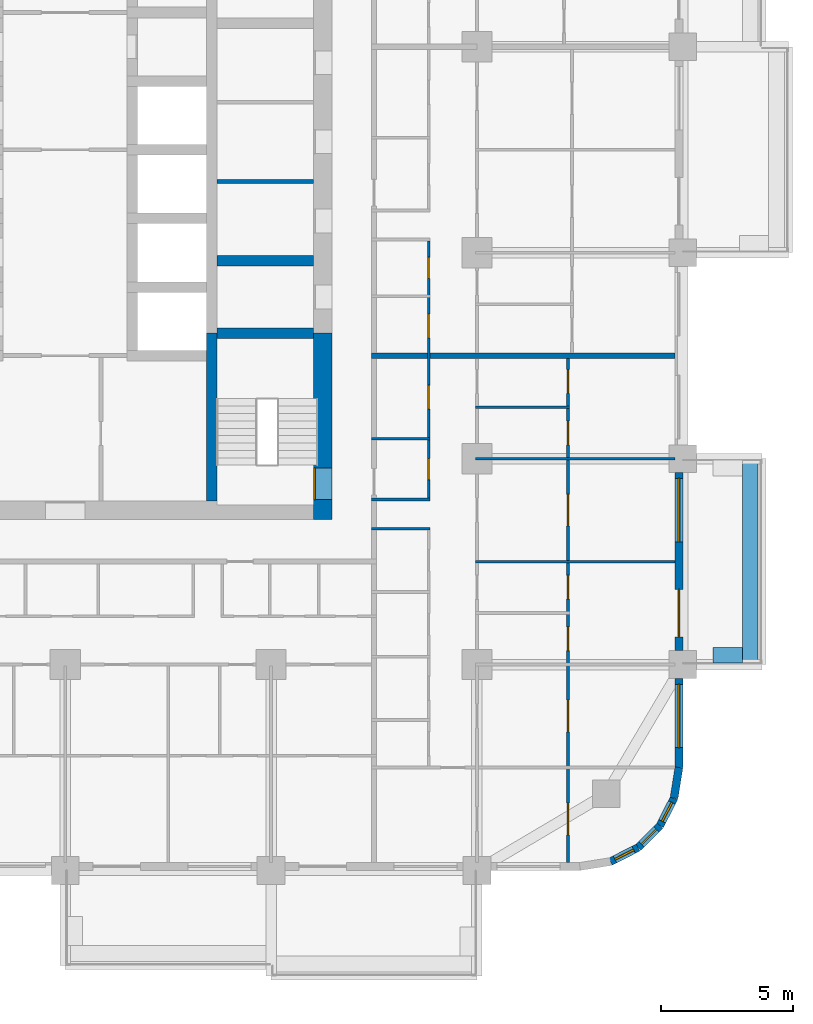
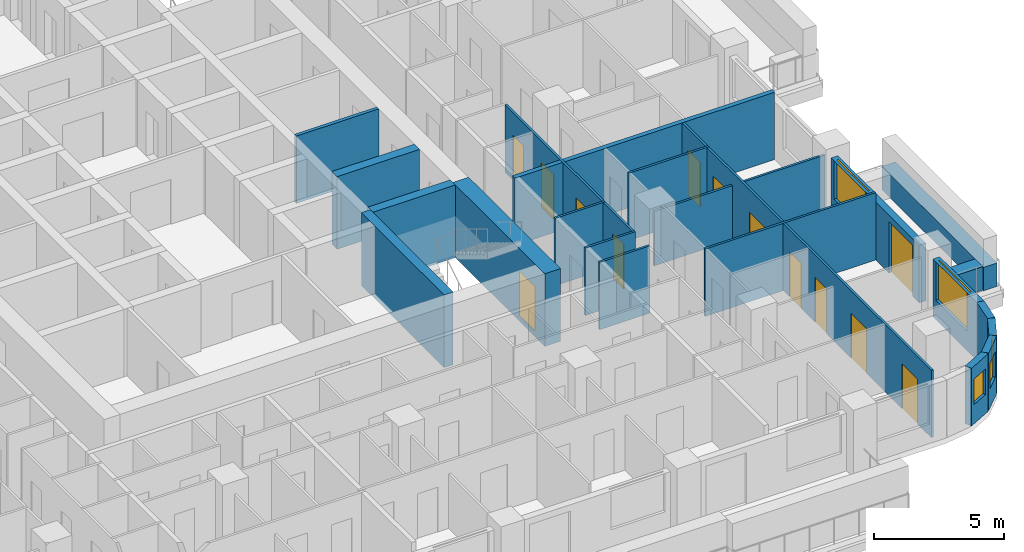
# One storey, part 8 of 18: 22 walls, 13 doors, 5 windows, 18 openings.
"""IFC4 building model written with IfcOpenShell, lengths in metres."""

from ifc_helpers import new_model, si_unit, direction, frame, frame_2d, origin, place, context, subcontext, project, spatial, rectangle, extrude, material, layer, layer_set, type_object, element, fill, save


model = new_model("IFC4")

# Units and contexts
model_context = context("Model", 3, precision=1e-05, world=origin(), true_north=direction((0.0, 1.0)))
body_context = subcontext(model_context, "Body", "Model", "MODEL_VIEW")
ifc_project = project(units=[si_unit("LENGTHUNIT", "METRE"), si_unit("AREAUNIT", "SQUARE_METRE"), si_unit("VOLUMEUNIT", "CUBIC_METRE"), si_unit("PLANEANGLEUNIT", "RADIAN"), si_unit("MASSUNIT", "GRAM", prefix="KILO")], contexts=[model_context])

# Site, building, storey
site_placement = place(None, origin())
site = spatial("IfcSite", under=ifc_project, at=site_placement, CompositionType="ELEMENT")
building_placement = place(site_placement, origin())
building = spatial("IfcBuilding", under=site, at=building_placement, Name="Ludao Terraces", CompositionType="ELEMENT")
storey_placement = place(building_placement, frame((0.0, 0.0, 33.10009765625)))
storey = spatial("IfcBuildingStorey", under=building, at=storey_placement, Name="L08", CompositionType="ELEMENT", Elevation=33.10009765625)

# Wall, opening, door
ifc_material_1 = material(Name="Concrete C70", Category="concrete")
ifc_layer_1 = layer(ifc_material_1, 0.699951171875)
ifc_layer_set_1 = layer_set([ifc_layer_1], Name="Core wall 700 C70")
wall_type_1 = type_object("IfcWallType", Name="Core wall 700 C70", PredefinedType="SOLIDWALL", material=ifc_layer_set_1)
wall_1_placement = place(storey_placement, frame((94.75, 54.89990234375, -0.25), z_axis=(0.0, 0.0, 1.0), x_axis=(0.0, 1.0, 0.0)))
wall_1 = element("IfcWall", 1, at=wall_1_placement, inside=storey, type_object=wall_type_1, Name="Core wall L08 outer-E-S3", PredefinedType="SOLIDWALL", context=body_context, shape_type="SweptSolid", body=[
    extrude(rectangle(XDim=7.050048828125, YDim=0.699951171875, at=frame_2d((3.52490234375, 0.0))), origin(), (0.0, 0.0, 1.0), 3.39990234375),
])
opening_1_placement = place(wall_1_placement, frame((0.75, 0.0, 0.25)))
opening_1 = element("IfcOpeningElement", 2, at=opening_1_placement, cuts=wall_1, Name="Opening R02-056", PredefinedType="OPENING", context=body_context, shape_type="SweptSolid", body=[
    extrude(rectangle(XDim=1.199951171875, YDim=2.10009765625, at=frame_2d((0.60009765625, 1.050048828125))), frame((0.0, 0.35986328125, 0.0), z_axis=(0.0, -1.0, 0.0), x_axis=(1.0, 0.0, 0.0)), (0.0, 0.0, 1.0), 0.719970703125),
])
ifc_material_2 = material(Name="Steel Q235", Category="steel")
door_type_1 = type_object("IfcDoorType", Name="INT Stair door 1200", OperationType="DOUBLE_DOOR_SINGLE_SWING", PredefinedType="DOOR", material=ifc_material_2)
door_1_placement = place(opening_1_placement, origin())
door_1 = element("IfcDoor", 3, at=door_1_placement, inside=storey, type_object=door_type_1, Name="DOOR 056", OperationType="DOUBLE_DOOR_SINGLE_SWING", OverallHeight=2.10009765625, OverallWidth=1.199951171875, PredefinedType="DOOR", context=body_context, shape_type="SweptSolid", body=[
    extrude(rectangle(XDim=1.199951171875, YDim=2.10009765625, at=frame_2d((0.60009765625, 1.050048828125))), frame((0.0, 0.3349609375, 0.0), z_axis=(0.0, -1.0, 0.0), x_axis=(1.0, 0.0, 0.0)), (0.0, 0.0, 1.0), 0.050048828125),
])
fill(opening_1, door_1)

# Walls
ifc_material_3 = material(Name="Concrete C40", Category="concrete")
ifc_layer_2 = layer(ifc_material_3, 0.60009765625)
ifc_layer_set_2 = layer_set([ifc_layer_2], Name="ENV Planter trough 600")
wall_type_2 = type_object("IfcWallType", Name="ENV Planter trough 600", PredefinedType="USERDEFINED", material=ifc_layer_set_2)
wall_2_placement = place(storey_placement, frame((110.949951171875, 49.39990234375, 0.0), z_axis=(0.0, 0.0, 1.0), x_axis=(0.0, 1.0, 0.0)))
element("IfcWall", 4, at=wall_2_placement, inside=storey, type_object=wall_type_2, Name="PL-L08-E1", ObjectType="PLANTER", PredefinedType="USERDEFINED", context=body_context, shape_type="SweptSolid", body=[
    extrude(rectangle(XDim=7.800048828125, YDim=0.60009765625, at=frame_2d((3.89990234375, 0.0))), origin(), (0.0, 0.0, 1.0), 1.099853515625),
])
wall_3_placement = place(storey_placement, frame((110.64990234375, 49.75, 0.0), z_axis=(0.0, 0.0, 1.0), x_axis=(-1.0, 0.0, 0.0)))
element("IfcWall", 5, at=wall_3_placement, inside=storey, type_object=wall_type_2, Name="PL-L08-E1-SA", ObjectType="PLANTER", PredefinedType="USERDEFINED", context=body_context, shape_type="SweptSolid", body=[
    extrude(rectangle(XDim=1.099853515625, YDim=0.60009765625, at=frame_2d((0.5498046875, 0.0))), origin(), (0.0, 0.0, 1.0), 1.099853515625),
])

# Wall, opening, window
ifc_material_4 = material(Name="Granite cladding", Category="masonry")
ifc_layer_3 = layer(ifc_material_4, 0.0400390625, Category="stone")
ifc_material_5 = material(Name="Mineral wool")
ifc_layer_4 = layer(ifc_material_5, 0.06005859375)
ifc_layer_5 = layer(ifc_material_3, 0.199951171875, Category="concrete")
ifc_layer_set_3 = layer_set([ifc_layer_3, ifc_layer_4, ifc_layer_5], Name="ENV Stone-clad wall 300")
wall_type_3 = type_object("IfcWallType", Name="ENV Stone-clad wall 300", PredefinedType="SOLIDWALL", material=ifc_layer_set_3)
wall_4_placement = place(storey_placement, frame((108.25, 45.5, 0.0), z_axis=(0.0, 0.0, 1.0), x_axis=(0.0, 1.0, 0.0)))
wall_4 = element("IfcWall", 6, at=wall_4_placement, inside=storey, type_object=wall_type_3, Name="EW-L08-E1", PredefinedType="SOLIDWALL", context=body_context, shape_type="SweptSolid", body=[
    extrude(rectangle(XDim=3.375, YDim=0.300048828125, at=frame_2d((1.6875, 0.0))), origin(), (0.0, 0.0, 1.0), 2.699951171875),
])
opening_2_placement = place(wall_4_placement, frame((0.75, 0.0, 0.89990234375)))
opening_2 = element("IfcOpeningElement", 7, at=opening_2_placement, cuts=wall_4, Name="Opening W1", PredefinedType="OPENING", context=body_context, shape_type="SweptSolid", body=[
    extrude(rectangle(XDim=2.39990234375, YDim=1.800048828125, at=frame_2d((1.199951171875, 0.89990234375))), frame((0.0, 0.16015625, 0.0), z_axis=(0.0, -1.0, 0.0), x_axis=(1.0, 0.0, 0.0)), (0.0, 0.0, 1.0), 0.320068359375),
])
ifc_material_6 = material(Name="Clear glass in aluminium frame", Category="aluminium")
ifc_layer_6 = layer(ifc_material_6, 0.06005859375)
ifc_layer_set_4 = layer_set([ifc_layer_6], Name="ENV Window W1 2400x1800")
window_type_1 = type_object("IfcWindowType", Name="ENV Window W1 2400x1800", PartitioningType="DOUBLE_PANEL_VERTICAL", PredefinedType="WINDOW", material=ifc_layer_set_4)
window_1_placement = place(opening_2_placement, origin())
window_1 = element("IfcWindow", 8, at=window_1_placement, inside=storey, type_object=window_type_1, Name="W-L08-E1-1", OverallHeight=1.800048828125, OverallWidth=2.39990234375, PartitioningType="DOUBLE_PANEL_VERTICAL", PredefinedType="WINDOW", context=body_context, shape_type="SweptSolid", body=[
    extrude(rectangle(XDim=2.39990234375, YDim=1.800048828125, at=frame_2d((1.199951171875, 0.89990234375))), frame((0.0, 0.030029296875, 0.0), z_axis=(0.0, -1.0, 0.0), x_axis=(1.0, 0.0, 0.0)), (0.0, 0.0, 1.0), 0.06005859375),
])
fill(opening_2, window_1)

# Wall, openings, door, window
wall_5_placement = place(storey_placement, frame((108.25, 49.925048828125, 0.0), z_axis=(0.0, 0.0, 1.0), x_axis=(0.0, 1.0, 0.0)))
wall_5 = element("IfcWall", 9, at=wall_5_placement, inside=storey, type_object=wall_type_3, Name="EW-L08-E2", PredefinedType="SOLIDWALL", context=body_context, shape_type="SweptSolid", body=[
    extrude(rectangle(XDim=6.75, YDim=0.300048828125, at=frame_2d((3.375, 0.0))), origin(), (0.0, 0.0, 1.0), 2.699951171875),
])
opening_3_placement = place(wall_5_placement, frame((0.52490234375, 0.0, 0.0)))
opening_3 = element("IfcOpeningElement", 10, at=opening_3_placement, cuts=wall_5, Name="Opening BD", PredefinedType="OPENING", context=body_context, shape_type="SweptSolid", body=[
    extrude(rectangle(XDim=1.800048828125, YDim=2.39990234375, at=frame_2d((0.89990234375, 1.199951171875))), frame((0.0, 0.16015625, 0.0), z_axis=(0.0, -1.0, 0.0), x_axis=(1.0, 0.0, 0.0)), (0.0, 0.0, 1.0), 0.320068359375),
])
opening_4_placement = place(wall_5_placement, frame((4.125, 0.0, 0.89990234375)))
opening_4 = element("IfcOpeningElement", 11, at=opening_4_placement, cuts=wall_5, Name="Opening W1", PredefinedType="OPENING", context=body_context, shape_type="SweptSolid", body=[
    extrude(rectangle(XDim=2.39990234375, YDim=1.800048828125, at=frame_2d((1.199951171875, 0.89990234375))), frame((0.0, 0.16015625, 0.0), z_axis=(0.0, -1.0, 0.0), x_axis=(1.0, 0.0, 0.0)), (0.0, 0.0, 1.0), 0.320068359375),
])
ifc_material_7 = material(Name="Aluminium glazed door", Category="aluminium")
ifc_layer_7 = layer(ifc_material_7, 0.06005859375)
ifc_layer_set_5 = layer_set([ifc_layer_7], Name="ENV Balcony door BD 1800x2400")
door_type_2 = type_object("IfcDoorType", Name="ENV Balcony door BD 1800x2400", OperationType="DOUBLE_DOOR_SINGLE_SWING", PredefinedType="DOOR", material=ifc_layer_set_5)
door_2_placement = place(opening_3_placement, origin())
door_2 = element("IfcDoor", 12, at=door_2_placement, inside=storey, type_object=door_type_2, Name="BD-L08-E2-1", OperationType="DOUBLE_DOOR_SINGLE_SWING", OverallHeight=2.39990234375, OverallWidth=1.800048828125, PredefinedType="DOOR", context=body_context, shape_type="SweptSolid", body=[
    extrude(rectangle(XDim=1.800048828125, YDim=2.39990234375, at=frame_2d((0.89990234375, 1.199951171875))), frame((0.0, 0.02490234375, 0.0), z_axis=(0.0, -1.0, 0.0), x_axis=(1.0, 0.0, 0.0)), (0.0, 0.0, 1.0), 0.050048828125),
])
fill(opening_3, door_2)
window_2_placement = place(opening_4_placement, origin())
window_2 = element("IfcWindow", 13, at=window_2_placement, inside=storey, type_object=window_type_1, Name="W-L08-E2-2", OverallHeight=1.800048828125, OverallWidth=2.39990234375, PartitioningType="DOUBLE_PANEL_VERTICAL", PredefinedType="WINDOW", context=body_context, shape_type="SweptSolid", body=[
    extrude(rectangle(XDim=2.39990234375, YDim=1.800048828125, at=frame_2d((1.199951171875, 0.89990234375))), frame((0.0, 0.030029296875, 0.0), z_axis=(0.0, -1.0, 0.0), x_axis=(1.0, 0.0, 0.0)), (0.0, 0.0, 1.0), 0.06005859375),
])
fill(opening_4, window_2)

# Wall, opening, window
wall_6_placement = place(storey_placement, frame((105.65869140625, 41.93359375, 0.0), z_axis=(0.0, 0.0, 1.0), x_axis=(0.890988677504, 0.454025524128, 0.0)))
wall_6 = element("IfcWall", 14, at=wall_6_placement, inside=storey, type_object=wall_type_3, Name="EW-L08-SE2", PredefinedType="SOLIDWALL", context=body_context, shape_type="SweptSolid", body=[
    extrude(rectangle(XDim=1.17333984375, YDim=0.300048828125, at=frame_2d((0.586669921875, 0.0))), origin(), (0.0, 0.0, 1.0), 2.699951171875),
])
opening_5_placement = place(wall_6_placement, frame((0.1865234375, 0.0, 0.89990234375)))
opening_5 = element("IfcOpeningElement", 15, at=opening_5_placement, cuts=wall_6, Name="Opening W3", PredefinedType="OPENING", context=body_context, shape_type="SweptSolid", body=[
    extrude(rectangle(XDim=0.800048828125, YDim=1.199951171875, at=frame_2d((0.39990234375, 0.60009765625))), frame((0.0, 0.16015625, 0.0), z_axis=(0.0, -1.0, 0.0), x_axis=(1.0, 0.0, 0.0)), (0.0, 0.0, 1.0), 0.320068359375),
])
ifc_layer_8 = layer(ifc_material_6, 0.06005859375)
ifc_layer_set_6 = layer_set([ifc_layer_8], Name="ENV Window W3 800x1200")
window_type_2 = type_object("IfcWindowType", Name="ENV Window W3 800x1200", PartitioningType="SINGLE_PANEL", PredefinedType="WINDOW", material=ifc_layer_set_6)
window_3_placement = place(opening_5_placement, origin())
window_3 = element("IfcWindow", 16, at=window_3_placement, inside=storey, type_object=window_type_2, Name="W-L08-SE2", OverallHeight=1.199951171875, OverallWidth=0.800048828125, PartitioningType="SINGLE_PANEL", PredefinedType="WINDOW", context=body_context, shape_type="SweptSolid", body=[
    extrude(rectangle(XDim=0.800048828125, YDim=1.199951171875, at=frame_2d((0.39990234375, 0.60009765625))), frame((0.0, 0.030029296875, 0.0), z_axis=(0.0, -1.0, 0.0), x_axis=(1.0, 0.0, 0.0)), (0.0, 0.0, 1.0), 0.06005859375),
])
fill(opening_5, window_3)

wall_7_placement = place(storey_placement, frame((106.7041015625, 42.46630859375, 0.0), z_axis=(0.0, 0.0, 1.0), x_axis=(0.707106781187, 0.707106781187, 0.0)))
wall_7 = element("IfcWall", 17, at=wall_7_placement, inside=storey, type_object=wall_type_3, Name="EW-L08-SE3", PredefinedType="SOLIDWALL", context=body_context, shape_type="SweptSolid", body=[
    extrude(rectangle(XDim=1.173095703125, YDim=0.300048828125, at=frame_2d((0.58642578125, 0.0))), origin(), (0.0, 0.0, 1.0), 2.699951171875),
])
opening_6_placement = place(wall_7_placement, frame((0.1865234375, 0.0, 0.89990234375)))
opening_6 = element("IfcOpeningElement", 18, at=opening_6_placement, cuts=wall_7, Name="Opening W3", PredefinedType="OPENING", context=body_context, shape_type="SweptSolid", body=[
    extrude(rectangle(XDim=0.800048828125, YDim=1.199951171875, at=frame_2d((0.39990234375, 0.60009765625))), frame((0.0, 0.16015625, 0.0), z_axis=(0.0, -1.0, 0.0), x_axis=(1.0, 0.0, 0.0)), (0.0, 0.0, 1.0), 0.320068359375),
])
window_4_placement = place(opening_6_placement, origin())
window_4 = element("IfcWindow", 19, at=window_4_placement, inside=storey, type_object=window_type_2, Name="W-L08-SE3", OverallHeight=1.199951171875, OverallWidth=0.800048828125, PartitioningType="SINGLE_PANEL", PredefinedType="WINDOW", context=body_context, shape_type="SweptSolid", body=[
    extrude(rectangle(XDim=0.800048828125, YDim=1.199951171875, at=frame_2d((0.39990234375, 0.60009765625))), frame((0.0, 0.030029296875, 0.0), z_axis=(0.0, -1.0, 0.0), x_axis=(1.0, 0.0, 0.0)), (0.0, 0.0, 1.0), 0.06005859375),
])
fill(opening_6, window_4)

wall_8_placement = place(storey_placement, frame((107.53369140625, 43.2958984375, 0.0), z_axis=(0.0, 0.0, 1.0), x_axis=(0.454025524128, 0.890988677504, 0.0)))
wall_8 = element("IfcWall", 20, at=wall_8_placement, inside=storey, type_object=wall_type_3, Name="EW-L08-SE4", PredefinedType="SOLIDWALL", context=body_context, shape_type="SweptSolid", body=[
    extrude(rectangle(XDim=1.17333984375, YDim=0.300048828125, at=frame_2d((0.586669921875, 0.0))), origin(), (0.0, 0.0, 1.0), 2.699951171875),
])
opening_7_placement = place(wall_8_placement, frame((0.1865234375, 0.0, 0.89990234375)))
opening_7 = element("IfcOpeningElement", 21, at=opening_7_placement, cuts=wall_8, Name="Opening W3", PredefinedType="OPENING", context=body_context, shape_type="SweptSolid", body=[
    extrude(rectangle(XDim=0.800048828125, YDim=1.199951171875, at=frame_2d((0.39990234375, 0.60009765625))), frame((0.0, 0.16015625, 0.0), z_axis=(0.0, -1.0, 0.0), x_axis=(1.0, 0.0, 0.0)), (0.0, 0.0, 1.0), 0.320068359375),
])
window_5_placement = place(opening_7_placement, origin())
window_5 = element("IfcWindow", 22, at=window_5_placement, inside=storey, type_object=window_type_2, Name="W-L08-SE4", OverallHeight=1.199951171875, OverallWidth=0.800048828125, PartitioningType="SINGLE_PANEL", PredefinedType="WINDOW", context=body_context, shape_type="SweptSolid", body=[
    extrude(rectangle(XDim=0.800048828125, YDim=1.199951171875, at=frame_2d((0.39990234375, 0.60009765625))), frame((0.0, 0.030029296875, 0.0), z_axis=(0.0, -1.0, 0.0), x_axis=(1.0, 0.0, 0.0)), (0.0, 0.0, 1.0), 0.06005859375),
])
fill(opening_7, window_5)

# Walls
wall_9_placement = place(storey_placement, frame((108.06640625, 44.34130859375, 0.0), z_axis=(0.0, 0.0, 1.0), x_axis=(0.156496880861, 0.987678452879, 0.0)))
element("IfcWall", 23, at=wall_9_placement, inside=storey, type_object=wall_type_3, Name="EW-L08-SE5", PredefinedType="SOLIDWALL", context=body_context, shape_type="SweptSolid", body=[
    extrude(rectangle(XDim=1.173095703125, YDim=0.300048828125, at=frame_2d((0.58642578125, 0.0))), origin(), (0.0, 0.0, 1.0), 2.699951171875),
])
ifc_material_8 = material(Name="Fire-rated gypsum plasterboard", Category="gypsum")
ifc_layer_9 = layer(ifc_material_8, 0.012451171875, Category="gypsum")
ifc_layer_10 = layer(ifc_material_5, 0.10009765625, Name="insulation")
ifc_layer_11 = layer(ifc_material_2, 0.02490234375, Name="stud")
ifc_layer_12 = layer(ifc_material_8, 0.012451171875, Category="gypsum")
ifc_layer_set_7 = layer_set([ifc_layer_9, ifc_layer_10, ifc_layer_11, ifc_layer_12], Name="INT Core partition 150")
wall_type_4 = type_object("IfcWallType", Name="INT Core partition 150", PredefinedType="PARTITIONING", material=ifc_layer_set_7)
wall_10_placement = place(storey_placement, frame((90.75, 67.699951171875, 0.0), z_axis=(0.0, 0.0, 1.0), x_axis=(1.0, 0.0, 0.0)))
element("IfcWall", 24, at=wall_10_placement, inside=storey, type_object=wall_type_4, Name="PW-L08-PW044", PredefinedType="PARTITIONING", context=body_context, shape_type="SweptSolid", body=[
    extrude(rectangle(XDim=3.650146484375, YDim=0.14990234375, at=frame_2d((1.8251953125, 0.0))), origin(), (0.0, 0.0, 1.0), 3.14990234375),
])
ifc_material_9 = material(Name="Gypsum plasterboard", Category="gypsum")
ifc_layer_13 = layer(ifc_material_9, 0.012451171875, Category="gypsum")
ifc_layer_14 = layer(ifc_material_5, 0.06005859375, Name="insulation")
ifc_layer_15 = layer(ifc_material_2, 0.014892578125, Name="stud")
ifc_layer_16 = layer(ifc_material_9, 0.012451171875, Category="gypsum")
ifc_layer_set_8 = layer_set([ifc_layer_13, ifc_layer_14, ifc_layer_15, ifc_layer_16], Name="INT Partition 100")
wall_type_5 = type_object("IfcWallType", Name="INT Partition 100", PredefinedType="PARTITIONING", material=ifc_layer_set_8)
wall_11_placement = place(storey_placement, frame((100.550048828125, 53.300048828125, 0.0), z_axis=(0.0, 0.0, 1.0), x_axis=(1.0, 0.0, 0.0)))
element("IfcWall", 25, at=wall_11_placement, inside=storey, type_object=wall_type_5, Name="PW-L08-PW020", PredefinedType="PARTITIONING", context=body_context, shape_type="SweptSolid", body=[
    extrude(rectangle(XDim=7.550048828125, YDim=0.10009765625, at=frame_2d((3.77490234375, 0.0))), origin(), (0.0, 0.0, 1.0), 3.14990234375),
])
for number, where, z_axis, x_axis, name in (
    (26, (96.60009765625, 54.550048828125, 0.0), (0.0, 0.0, 1.0), (1.0, 0.0, 0.0), "PW-L08-PW021"),
    (27, (96.60009765625, 55.64990234375, 0.0), (0.0, 0.0, 1.0), (1.0, 0.0, 0.0), "PW-L08-PW023"),
):
    element("IfcWall", number, at=place(storey_placement, frame(where, z_axis=z_axis, x_axis=x_axis)), inside=storey, type_object=wall_type_5, Name=name, PredefinedType="PARTITIONING", context=body_context, shape_type="SweptSolid", body=[
        extrude(rectangle(XDim=2.219970703125, YDim=0.10009765625, at=frame_2d((1.10986328125, 0.0))), origin(), (0.0, 0.0, 1.0), 3.14990234375),
    ])
wall_12_placement = place(storey_placement, frame((100.550048828125, 57.199951171875, 0.0), z_axis=(0.0, 0.0, 1.0), x_axis=(1.0, 0.0, 0.0)))
element("IfcWall", 28, at=wall_12_placement, inside=storey, type_object=wall_type_5, Name="PW-L08-PW026", PredefinedType="PARTITIONING", context=body_context, shape_type="SweptSolid", body=[
    extrude(rectangle(XDim=7.550048828125, YDim=0.10009765625, at=frame_2d((3.77490234375, 0.0))), origin(), (0.0, 0.0, 1.0), 2.5498046875),
])
wall_13_placement = place(storey_placement, frame((96.60009765625, 57.949951171875, 0.0), z_axis=(0.0, 0.0, 1.0), x_axis=(1.0, 0.0, 0.0)))
element("IfcWall", 29, at=wall_13_placement, inside=storey, type_object=wall_type_5, Name="PW-L08-PW028", PredefinedType="PARTITIONING", context=body_context, shape_type="SweptSolid", body=[
    extrude(rectangle(XDim=2.219970703125, YDim=0.10009765625, at=frame_2d((1.10986328125, 0.0))), origin(), (0.0, 0.0, 1.0), 3.14990234375),
])
wall_14_placement = place(storey_placement, frame((100.550048828125, 59.14990234375, 0.0), z_axis=(0.0, 0.0, 1.0), x_axis=(1.0, 0.0, 0.0)))
element("IfcWall", 30, at=wall_14_placement, inside=storey, type_object=wall_type_5, Name="PW-L08-PW030", PredefinedType="PARTITIONING", context=body_context, shape_type="SweptSolid", body=[
    extrude(rectangle(XDim=3.550048828125, YDim=0.10009765625, at=frame_2d((1.77490234375, 0.0))), origin(), (0.0, 0.0, 1.0), 3.14990234375),
])

# Wall, openings, doors
wall_15_placement = place(storey_placement, frame((98.77001953125, 55.7001953125, 0.0), z_axis=(0.0, 0.0, 1.0), x_axis=(0.0, 1.0, 0.0)))
wall_15 = element("IfcWall", 31, at=wall_15_placement, inside=storey, type_object=wall_type_5, Name="PW-L08-PW119", PredefinedType="PARTITIONING", context=body_context, shape_type="SweptSolid", body=[
    extrude(rectangle(XDim=9.75, YDim=0.10009765625, at=frame_2d((4.875, 0.0))), origin(), (0.0, 0.0, 1.0), 3.14990234375),
])
opening_8_placement = place(wall_15_placement, frame((0.699951171875, 0.0, 0.0)))
opening_8 = element("IfcOpeningElement", 32, at=opening_8_placement, cuts=wall_15, Name="Opening R02-060", PredefinedType="OPENING", context=body_context, shape_type="SweptSolid", body=[
    extrude(rectangle(XDim=0.800048828125, YDim=2.10009765625, at=frame_2d((0.39990234375, 1.050048828125))), frame((0.0, 0.06005859375, 0.0), z_axis=(0.0, -1.0, 0.0), x_axis=(1.0, 0.0, 0.0)), (0.0, 0.0, 1.0), 0.1201171875),
])
opening_9_placement = place(wall_15_placement, frame((3.375, 0.0, 0.0)))
opening_9 = element("IfcOpeningElement", 33, at=opening_9_placement, cuts=wall_15, Name="Opening R02-066", PredefinedType="OPENING", context=body_context, shape_type="SweptSolid", body=[
    extrude(rectangle(XDim=0.89990234375, YDim=2.10009765625, at=frame_2d((0.449951171875, 1.050048828125))), frame((0.0, 0.06005859375, 0.0), z_axis=(0.0, -1.0, 0.0), x_axis=(1.0, 0.0, 0.0)), (0.0, 0.0, 1.0), 0.1201171875),
])
opening_10_placement = place(wall_15_placement, frame((6.074951171875, 0.0, 0.0)))
opening_10 = element("IfcOpeningElement", 34, at=opening_10_placement, cuts=wall_15, Name="Opening R02-075", PredefinedType="OPENING", context=body_context, shape_type="SweptSolid", body=[
    extrude(rectangle(XDim=0.89990234375, YDim=2.10009765625, at=frame_2d((0.449951171875, 1.050048828125))), frame((0.0, 0.06005859375, 0.0), z_axis=(0.0, -1.0, 0.0), x_axis=(1.0, 0.0, 0.0)), (0.0, 0.0, 1.0), 0.1201171875),
])
opening_11_placement = place(wall_15_placement, frame((8.324951171875, 0.0, 0.0)))
opening_11 = element("IfcOpeningElement", 35, at=opening_11_placement, cuts=wall_15, Name="Opening R02-084", PredefinedType="OPENING", context=body_context, shape_type="SweptSolid", body=[
    extrude(rectangle(XDim=0.800048828125, YDim=2.10009765625, at=frame_2d((0.39990234375, 1.050048828125))), frame((0.0, 0.06005859375, 0.0), z_axis=(0.0, -1.0, 0.0), x_axis=(1.0, 0.0, 0.0)), (0.0, 0.0, 1.0), 0.1201171875),
])
ifc_material_10 = material(Name="Timber door leaf", Category="wood")
door_type_3 = type_object("IfcDoorType", Name="INT Bathroom door 900", OperationType="SINGLE_SWING_LEFT", PredefinedType="DOOR", material=ifc_material_10)
door_3_placement = place(opening_10_placement, origin())
door_3 = element("IfcDoor", 36, at=door_3_placement, inside=storey, type_object=door_type_3, Name="DOOR 075", OperationType="SINGLE_SWING_LEFT", OverallHeight=2.10009765625, OverallWidth=0.89990234375, PredefinedType="DOOR", context=body_context, shape_type="SweptSolid", body=[
    extrude(rectangle(XDim=0.89990234375, YDim=2.10009765625, at=frame_2d((0.449951171875, 1.050048828125))), frame((0.0, 0.02490234375, 0.0), z_axis=(0.0, -1.0, 0.0), x_axis=(1.0, 0.0, 0.0)), (0.0, 0.0, 1.0), 0.050048828125),
])
fill(opening_10, door_3)
door_type_4 = type_object("IfcDoorType", Name="INT Room door 900", OperationType="SINGLE_SWING_LEFT", PredefinedType="DOOR", material=ifc_material_10)
door_4_placement = place(opening_9_placement, origin())
door_4 = element("IfcDoor", 37, at=door_4_placement, inside=storey, type_object=door_type_4, Name="DOOR 066", OperationType="SINGLE_SWING_RIGHT", OverallHeight=2.10009765625, OverallWidth=0.89990234375, PredefinedType="DOOR", context=body_context, shape_type="SweptSolid", body=[
    extrude(rectangle(XDim=0.89990234375, YDim=2.10009765625, at=frame_2d((0.449951171875, 1.050048828125))), frame((0.0, 0.02490234375, 0.0), z_axis=(0.0, -1.0, 0.0), x_axis=(1.0, 0.0, 0.0)), (0.0, 0.0, 1.0), 0.050048828125),
])
fill(opening_9, door_4)
door_type_5 = type_object("IfcDoorType", Name="INT Store door 800", OperationType="SINGLE_SWING_LEFT", PredefinedType="DOOR", material=ifc_material_10)
door_5_placement = place(opening_8_placement, origin())
door_5 = element("IfcDoor", 38, at=door_5_placement, inside=storey, type_object=door_type_5, Name="DOOR 060", OperationType="SINGLE_SWING_LEFT", OverallHeight=2.10009765625, OverallWidth=0.800048828125, PredefinedType="DOOR", context=body_context, shape_type="SweptSolid", body=[
    extrude(rectangle(XDim=0.800048828125, YDim=2.10009765625, at=frame_2d((0.39990234375, 1.050048828125))), frame((0.0, 0.02490234375, 0.0), z_axis=(0.0, -1.0, 0.0), x_axis=(1.0, 0.0, 0.0)), (0.0, 0.0, 1.0), 0.050048828125),
])
fill(opening_8, door_5)
door_6_placement = place(opening_11_placement, origin())
door_6 = element("IfcDoor", 39, at=door_6_placement, inside=storey, type_object=door_type_5, Name="DOOR 084", OperationType="SINGLE_SWING_LEFT", OverallHeight=2.10009765625, OverallWidth=0.800048828125, PredefinedType="DOOR", context=body_context, shape_type="SweptSolid", body=[
    extrude(rectangle(XDim=0.800048828125, YDim=2.10009765625, at=frame_2d((0.39990234375, 1.050048828125))), frame((0.0, 0.02490234375, 0.0), z_axis=(0.0, -1.0, 0.0), x_axis=(1.0, 0.0, 0.0)), (0.0, 0.0, 1.0), 0.050048828125),
])
fill(opening_11, door_6)

wall_16_placement = place(storey_placement, frame((104.050048828125, 41.900146484375, 0.0), z_axis=(0.0, 0.0, 1.0), x_axis=(0.0, 1.0, 0.0)))
wall_16 = element("IfcWall", 40, at=wall_16_placement, inside=storey, type_object=wall_type_5, Name="PW-L08-PW124", PredefinedType="PARTITIONING", context=body_context, shape_type="SweptSolid", body=[
    extrude(rectangle(XDim=19.099853515625, YDim=0.10009765625, at=frame_2d((9.5498046875, 0.0))), origin(), (0.0, 0.0, 1.0), 3.14990234375),
])
opening_12_placement = place(wall_16_placement, frame((1.050048828125, 0.0, 0.0)))
opening_12 = element("IfcOpeningElement", 41, at=opening_12_placement, cuts=wall_16, Name="Opening R02-004", PredefinedType="OPENING", context=body_context, shape_type="SweptSolid", body=[
    extrude(rectangle(XDim=1.199951171875, YDim=2.10009765625, at=frame_2d((0.60009765625, 1.050048828125))), frame((0.0, 0.06005859375, 0.0), z_axis=(0.0, -1.0, 0.0), x_axis=(1.0, 0.0, 0.0)), (0.0, 0.0, 1.0), 0.1201171875),
])
opening_13_placement = place(wall_16_placement, frame((4.949951171875, 0.0, 0.0)))
opening_13 = element("IfcOpeningElement", 42, at=opening_13_placement, cuts=wall_16, Name="Opening R02-021", PredefinedType="OPENING", context=body_context, shape_type="SweptSolid", body=[
    extrude(rectangle(XDim=1.199951171875, YDim=2.10009765625, at=frame_2d((0.60009765625, 1.050048828125))), frame((0.0, 0.06005859375, 0.0), z_axis=(0.0, -1.0, 0.0), x_axis=(1.0, 0.0, 0.0)), (0.0, 0.0, 1.0), 0.1201171875),
])
opening_14_placement = place(wall_16_placement, frame((8.02490234375, 0.0, 0.0)))
opening_14 = element("IfcOpeningElement", 43, at=opening_14_placement, cuts=wall_16, Name="Opening R02-031", PredefinedType="OPENING", context=body_context, shape_type="SweptSolid", body=[
    extrude(rectangle(XDim=0.89990234375, YDim=2.10009765625, at=frame_2d((0.449951171875, 1.050048828125))), frame((0.0, 0.06005859375, 0.0), z_axis=(0.0, -1.0, 0.0), x_axis=(1.0, 0.0, 0.0)), (0.0, 0.0, 1.0), 0.1201171875),
])
opening_15_placement = place(wall_16_placement, frame((9.97509765625, 0.0, 0.0)))
opening_15 = element("IfcOpeningElement", 44, at=opening_15_placement, cuts=wall_16, Name="Opening R02-046", PredefinedType="OPENING", context=body_context, shape_type="SweptSolid", body=[
    extrude(rectangle(XDim=0.89990234375, YDim=2.10009765625, at=frame_2d((0.449951171875, 1.050048828125))), frame((0.0, 0.06005859375, 0.0), z_axis=(0.0, -1.0, 0.0), x_axis=(1.0, 0.0, 0.0)), (0.0, 0.0, 1.0), 0.1201171875),
])
opening_16_placement = place(wall_16_placement, frame((12.75, 0.0, 0.0)))
opening_16 = element("IfcOpeningElement", 45, at=opening_16_placement, cuts=wall_16, Name="Opening R02-055", PredefinedType="OPENING", context=body_context, shape_type="SweptSolid", body=[
    extrude(rectangle(XDim=1.199951171875, YDim=2.10009765625, at=frame_2d((0.60009765625, 1.050048828125))), frame((0.0, 0.06005859375, 0.0), z_axis=(0.0, -1.0, 0.0), x_axis=(1.0, 0.0, 0.0)), (0.0, 0.0, 1.0), 0.1201171875),
])
opening_17_placement = place(wall_16_placement, frame((15.824951171875, 0.0, 0.0)))
opening_17 = element("IfcOpeningElement", 46, at=opening_17_placement, cuts=wall_16, Name="Opening R02-064", PredefinedType="OPENING", context=body_context, shape_type="SweptSolid", body=[
    extrude(rectangle(XDim=0.89990234375, YDim=2.10009765625, at=frame_2d((0.449951171875, 1.050048828125))), frame((0.0, 0.06005859375, 0.0), z_axis=(0.0, -1.0, 0.0), x_axis=(1.0, 0.0, 0.0)), (0.0, 0.0, 1.0), 0.1201171875),
])
opening_18_placement = place(wall_16_placement, frame((17.77490234375, 0.0, 0.0)))
opening_18 = element("IfcOpeningElement", 47, at=opening_18_placement, cuts=wall_16, Name="Opening R02-070", PredefinedType="OPENING", context=body_context, shape_type="SweptSolid", body=[
    extrude(rectangle(XDim=0.89990234375, YDim=2.10009765625, at=frame_2d((0.449951171875, 1.050048828125))), frame((0.0, 0.06005859375, 0.0), z_axis=(0.0, -1.0, 0.0), x_axis=(1.0, 0.0, 0.0)), (0.0, 0.0, 1.0), 0.1201171875),
])
door_7_placement = place(opening_14_placement, origin())
door_7 = element("IfcDoor", 48, at=door_7_placement, inside=storey, type_object=door_type_3, Name="DOOR 031", OperationType="SINGLE_SWING_LEFT", OverallHeight=2.10009765625, OverallWidth=0.89990234375, PredefinedType="DOOR", context=body_context, shape_type="SweptSolid", body=[
    extrude(rectangle(XDim=0.89990234375, YDim=2.10009765625, at=frame_2d((0.449951171875, 1.050048828125))), frame((0.0, 0.02490234375, 0.0), z_axis=(0.0, -1.0, 0.0), x_axis=(1.0, 0.0, 0.0)), (0.0, 0.0, 1.0), 0.050048828125),
])
fill(opening_14, door_7)
door_8_placement = place(opening_17_placement, origin())
door_8 = element("IfcDoor", 49, at=door_8_placement, inside=storey, type_object=door_type_3, Name="DOOR 064", OperationType="SINGLE_SWING_LEFT", OverallHeight=2.10009765625, OverallWidth=0.89990234375, PredefinedType="DOOR", context=body_context, shape_type="SweptSolid", body=[
    extrude(rectangle(XDim=0.89990234375, YDim=2.10009765625, at=frame_2d((0.449951171875, 1.050048828125))), frame((0.0, 0.02490234375, 0.0), z_axis=(0.0, -1.0, 0.0), x_axis=(1.0, 0.0, 0.0)), (0.0, 0.0, 1.0), 0.050048828125),
])
fill(opening_17, door_8)
door_type_6 = type_object("IfcDoorType", Name="INT Double door 1200", OperationType="DOUBLE_DOOR_SINGLE_SWING", PredefinedType="DOOR", material=ifc_material_10)
door_9_placement = place(opening_12_placement, origin())
door_9 = element("IfcDoor", 50, at=door_9_placement, inside=storey, type_object=door_type_6, Name="DOOR 004", OperationType="DOUBLE_DOOR_SINGLE_SWING", OverallHeight=2.10009765625, OverallWidth=1.199951171875, PredefinedType="DOOR", context=body_context, shape_type="SweptSolid", body=[
    extrude(rectangle(XDim=1.199951171875, YDim=2.10009765625, at=frame_2d((0.60009765625, 1.050048828125))), frame((0.0, 0.02490234375, 0.0), z_axis=(0.0, -1.0, 0.0), x_axis=(1.0, 0.0, 0.0)), (0.0, 0.0, 1.0), 0.050048828125),
])
fill(opening_12, door_9)
door_10_placement = place(opening_13_placement, origin())
door_10 = element("IfcDoor", 51, at=door_10_placement, inside=storey, type_object=door_type_6, Name="DOOR 021", OperationType="DOUBLE_DOOR_SINGLE_SWING", OverallHeight=2.10009765625, OverallWidth=1.199951171875, PredefinedType="DOOR", context=body_context, shape_type="SweptSolid", body=[
    extrude(rectangle(XDim=1.199951171875, YDim=2.10009765625, at=frame_2d((0.60009765625, 1.050048828125))), frame((0.0, 0.02490234375, 0.0), z_axis=(0.0, -1.0, 0.0), x_axis=(1.0, 0.0, 0.0)), (0.0, 0.0, 1.0), 0.050048828125),
])
fill(opening_13, door_10)
door_11_placement = place(opening_16_placement, origin())
door_11 = element("IfcDoor", 52, at=door_11_placement, inside=storey, type_object=door_type_6, Name="DOOR 055", OperationType="DOUBLE_DOOR_SINGLE_SWING", OverallHeight=2.10009765625, OverallWidth=1.199951171875, PredefinedType="DOOR", context=body_context, shape_type="SweptSolid", body=[
    extrude(rectangle(XDim=1.199951171875, YDim=2.10009765625, at=frame_2d((0.60009765625, 1.050048828125))), frame((0.0, 0.02490234375, 0.0), z_axis=(0.0, -1.0, 0.0), x_axis=(1.0, 0.0, 0.0)), (0.0, 0.0, 1.0), 0.050048828125),
])
fill(opening_16, door_11)
door_12_placement = place(opening_15_placement, origin())
door_12 = element("IfcDoor", 53, at=door_12_placement, inside=storey, type_object=door_type_4, Name="DOOR 046", OperationType="SINGLE_SWING_RIGHT", OverallHeight=2.10009765625, OverallWidth=0.89990234375, PredefinedType="DOOR", context=body_context, shape_type="SweptSolid", body=[
    extrude(rectangle(XDim=0.89990234375, YDim=2.10009765625, at=frame_2d((0.449951171875, 1.050048828125))), frame((0.0, 0.02490234375, 0.0), z_axis=(0.0, -1.0, 0.0), x_axis=(1.0, 0.0, 0.0)), (0.0, 0.0, 1.0), 0.050048828125),
])
fill(opening_15, door_12)
door_13_placement = place(opening_18_placement, origin())
door_13 = element("IfcDoor", 54, at=door_13_placement, inside=storey, type_object=door_type_4, Name="DOOR 070", OperationType="SINGLE_SWING_LEFT", OverallHeight=2.10009765625, OverallWidth=0.89990234375, PredefinedType="DOOR", context=body_context, shape_type="SweptSolid", body=[
    extrude(rectangle(XDim=0.89990234375, YDim=2.10009765625, at=frame_2d((0.449951171875, 1.050048828125))), frame((0.0, 0.02490234375, 0.0), z_axis=(0.0, -1.0, 0.0), x_axis=(1.0, 0.0, 0.0)), (0.0, 0.0, 1.0), 0.050048828125),
])
fill(opening_18, door_13)

# Walls
ifc_material_11 = material(Name="Autoclaved aerated concrete block B06 A3.5", Category="concrete")
ifc_layer_17 = layer(ifc_material_11, 0.199951171875)
ifc_layer_set_9 = layer_set([ifc_layer_17], Name="INT Party wall 200")
wall_type_6 = type_object("IfcWallType", Name="INT Party wall 200", PredefinedType="PARTITIONING", material=ifc_layer_set_9)
wall_17_placement = place(storey_placement, frame((96.60009765625, 61.10009765625, 0.0), z_axis=(0.0, 0.0, 1.0), x_axis=(1.0, 0.0, 0.0)))
element("IfcWall", 55, at=wall_17_placement, inside=storey, type_object=wall_type_6, Name="PW-L08-PW033", PredefinedType="PARTITIONING", context=body_context, shape_type="SweptSolid", body=[
    extrude(rectangle(XDim=11.5, YDim=0.199951171875, at=frame_2d((5.75, 0.0))), origin(), (0.0, 0.0, 1.0), 3.14990234375),
])
ifc_material_12 = material(Name="Concrete C60", Category="concrete")
ifc_layer_18 = layer(ifc_material_12, 0.39990234375)
ifc_layer_set_10 = layer_set([ifc_layer_18], Name="Shaft wall 400 C60")
wall_type_7 = type_object("IfcWallType", Name="Shaft wall 400 C60", PredefinedType="SOLIDWALL", material=ifc_layer_set_10)
wall_18_placement = place(storey_placement, frame((90.550048828125, 55.60009765625, -0.25), z_axis=(0.0, 0.0, 1.0), x_axis=(0.0, 1.0, 0.0)))
element("IfcWall", 56, at=wall_18_placement, inside=storey, type_object=wall_type_7, Name="Core wall L08 back-E-S3", PredefinedType="SOLIDWALL", context=body_context, shape_type="SweptSolid", body=[
    extrude(rectangle(XDim=6.349853515625, YDim=0.39990234375, at=frame_2d((3.1748046875, 0.0))), origin(), (0.0, 0.0, 1.0), 3.39990234375),
])
for number, where, z_axis, x_axis, name in (
    (57, (90.75, 61.949951171875, -0.25), (0.0, 0.0, 1.0), (1.0, 0.0, 0.0), "Core wall L08 hall-E"),
    (58, (90.75, 64.699951171875, -0.25), (0.0, 0.0, 1.0), (1.0, 0.0, 0.0), "Core wall L08 riser-a-E"),
):
    element("IfcWall", number, at=place(storey_placement, frame(where, z_axis=z_axis, x_axis=x_axis)), inside=storey, type_object=wall_type_7, Name=name, PredefinedType="SOLIDWALL", context=body_context, shape_type="SweptSolid", body=[
        extrude(rectangle(XDim=3.64990234375, YDim=0.39990234375, at=frame_2d((1.824951171875, 0.0))), origin(), (0.0, 0.0, 1.0), 3.39990234375),
    ])

save(model, "model.ifc")
